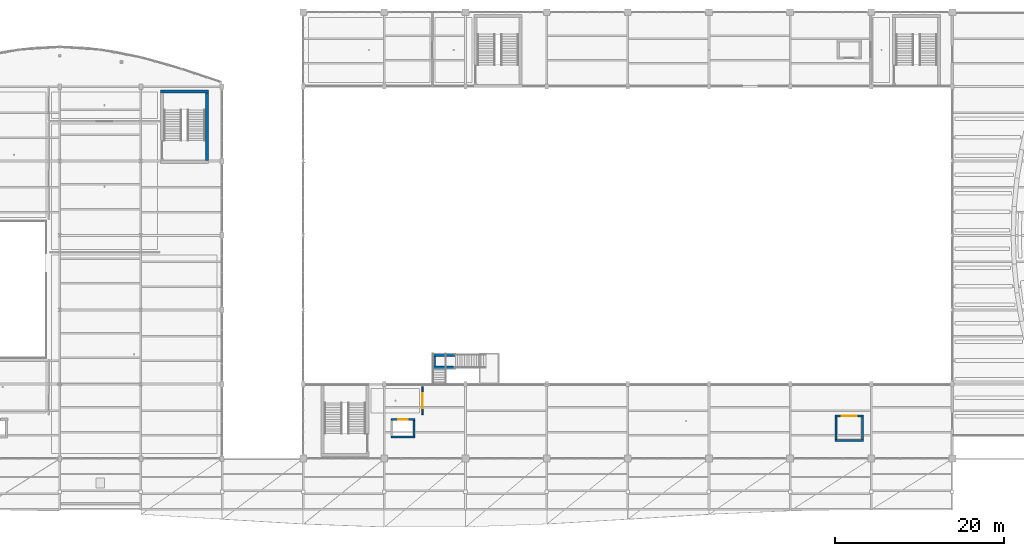
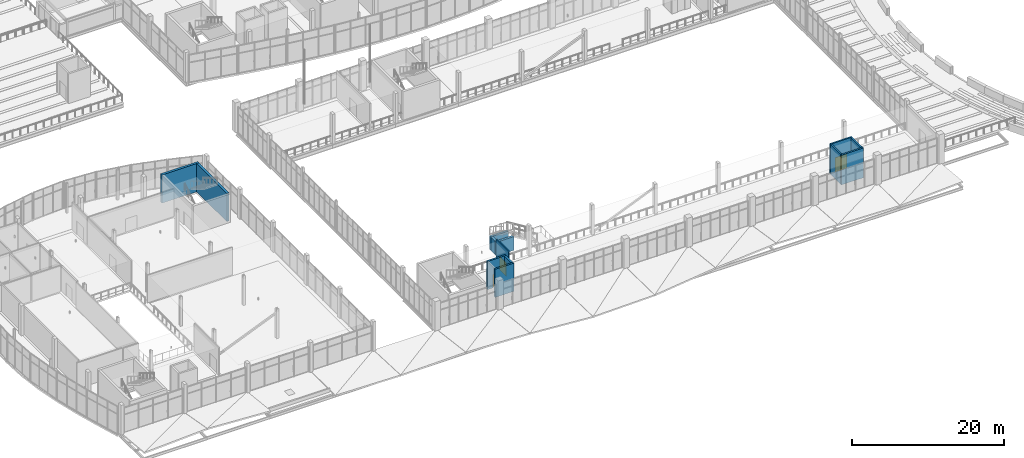
# One storey, part 133 of 157: 13 walls, 3 doors, 3 openings.
"""IFC4 building model written with IfcOpenShell, lengths in metres."""

from ifc_helpers import new_model, si_unit, direction, frame, frame_2d, origin, place, context, subcontext, project, spatial, rectangle, extrude, material, layer, layer_set, type_object, element, fill, save


model = new_model("IFC4")

# Units and contexts
model_context = context("Model", 3, precision=1e-05, world=origin(), true_north=direction((0.0, 1.0)))
body_context = subcontext(model_context, "Body", "Model", "MODEL_VIEW")
ifc_project = project(units=[si_unit("LENGTHUNIT", "METRE"), si_unit("AREAUNIT", "SQUARE_METRE"), si_unit("VOLUMEUNIT", "CUBIC_METRE"), si_unit("PLANEANGLEUNIT", "RADIAN"), si_unit("MASSUNIT", "GRAM", prefix="KILO")], contexts=[model_context])

# Site, building, storey
site_placement = place(None, origin())
site = spatial("IfcSite", under=ifc_project, at=site_placement, CompositionType="ELEMENT")
building_placement = place(site_placement, origin())
building = spatial("IfcBuilding", under=site, at=building_placement, Name="Chalmorin Arch Market", CompositionType="ELEMENT")
storey_placement = place(building_placement, frame((0.0, 0.0, 4.800048828125)))
storey = spatial("IfcBuildingStorey", under=building, at=storey_placement, Name="L01", CompositionType="ELEMENT", Elevation=4.800048828125)

# Walls
ifc_material_1 = material(Name="Concrete C40/50", Category="concrete")
ifc_layer_1 = layer(ifc_material_1, 0.35009765625)
ifc_layer_set_1 = layer_set([ifc_layer_1], Name="Concrete C40/50")
wall_type_1 = type_object("IfcWallType", Name="CoreShearWall-350", PredefinedType="SHEAR", material=ifc_layer_set_1)
wall_1_placement = place(storey_placement, frame((31.125, 49.39990234375, 0.0), z_axis=(0.0, 0.0, 1.0), x_axis=(1.0, 0.0, 0.0)))
element("IfcWall", 1, at=wall_1_placement, inside=storey, type_object=wall_type_1, Name="CSW-350-026", PredefinedType="SHEAR", context=body_context, shape_type="SweptSolid", body=[
    extrude(rectangle(XDim=5.64990234375, YDim=0.35009765625, at=frame_2d((2.824951171875, 0.0))), origin(), (0.0, 0.0, 1.0), 4.550048828125),
])
wall_2_placement = place(storey_placement, frame((36.60009765625, 49.22509765625, 0.0), z_axis=(0.0, 0.0, 1.0), x_axis=(0.0, -1.0, 0.0)))
element("IfcWall", 2, at=wall_2_placement, inside=storey, type_object=wall_type_1, Name="CSW-350-028", PredefinedType="SHEAR", context=body_context, shape_type="SweptSolid", body=[
    extrude(rectangle(XDim=7.9501953125, YDim=0.35009765625, at=frame_2d((3.97509765625, 0.0))), origin(), (0.0, 0.0, 1.0), 4.550048828125),
])
for number, where, z_axis, x_axis, name in (
    (3, (63.27490234375, 16.800048828125, 0.0), (0.0, 0.0, 1.0), (1.0, 0.0, 0.0), "CSW-350-159"),
    (4, (63.27490234375, 18.25, 0.0), (0.0, 0.0, 1.0), (1.0, 0.0, 0.0), "CSW-350-160"),
):
    element("IfcWall", number, at=place(storey_placement, frame(where, z_axis=z_axis, x_axis=x_axis)), inside=storey, type_object=wall_type_1, Name=name, PredefinedType="SHEAR", context=body_context, shape_type="SweptSolid", body=[
        extrude(rectangle(XDim=2.670166015625, YDim=0.35009765625, at=frame_2d((1.3349609375, 0.0))), origin(), (0.0, 0.0, 1.0), 2.204833984375),
    ])
wall_3_placement = place(storey_placement, frame((63.449951171875, 16.97509765625, 0.0), z_axis=(0.0, 0.0, 1.0), x_axis=(0.0, 1.0, 0.0)))
element("IfcWall", 5, at=wall_3_placement, inside=storey, type_object=wall_type_1, Name="CSW-350-161", PredefinedType="SHEAR", context=body_context, shape_type="SweptSolid", body=[
    extrude(rectangle(XDim=1.099853515625, YDim=0.35009765625, at=frame_2d((0.5498046875, 0.0))), origin(), (0.0, 0.0, 1.0), 2.204833984375),
])

# Wall, opening, door
ifc_material_2 = material(Name="Gypsum Board Partition")
ifc_layer_2 = layer(ifc_material_2, 0.159912109375)
ifc_layer_set_2 = layer_set([ifc_layer_2], Name="Gypsum Board Partition")
wall_type_2 = type_object("IfcWallType", Name="CorridorRatedPartition-160", PredefinedType="PARTITIONING", material=ifc_layer_set_2)
wall_4_placement = place(storey_placement, frame((62.10009765625, 11.199951171875, 0.0), z_axis=(0.0, 0.0, 1.0), x_axis=(0.0, 1.0, 0.0)))
wall_4 = element("IfcWall", 6, at=wall_4_placement, inside=storey, type_object=wall_type_2, Name="CRP-160-475", PredefinedType="PARTITIONING", context=body_context, shape_type="SweptSolid", body=[
    extrude(rectangle(XDim=3.300048828125, YDim=0.159912109375, at=frame_2d((1.64990234375, 0.0))), origin(), (0.0, 0.0, 1.0), 4.419921875),
])
opening_1_placement = place(wall_4_placement, frame((0.75, 0.0, 0.0)))
opening_1 = element("IfcOpeningElement", 7, at=opening_1_placement, cuts=wall_4, Name="Opening ID-145", PredefinedType="OPENING", context=body_context, shape_type="SweptSolid", body=[
    extrude(rectangle(XDim=1.800048828125, YDim=2.14990234375, at=frame_2d((0.89990234375, 1.074951171875))), frame((0.0, 0.08984375, 0.0), z_axis=(0.0, -1.0, 0.0), x_axis=(1.0, 0.0, 0.0)), (0.0, 0.0, 1.0), 0.179931640625),
])
ifc_material_3 = material(Name="Galvanised Steel", Category="steel")
door_type_1 = type_object("IfcDoorType", Name="CorridorFireDoubleDoor-1800x2150", OperationType="DOUBLE_DOOR_SINGLE_SWING", PredefinedType="DOOR", material=ifc_material_3)
door_1_placement = place(opening_1_placement, origin())
door_1 = element("IfcDoor", 8, at=door_1_placement, inside=storey, type_object=door_type_1, Name="ID-145", OperationType="DOUBLE_DOOR_SINGLE_SWING", OverallHeight=2.14990234375, OverallWidth=1.800048828125, PredefinedType="DOOR", context=body_context, shape_type="SweptSolid", body=[
    extrude(rectangle(XDim=1.800048828125, YDim=2.14990234375, at=frame_2d((0.89990234375, 1.074951171875))), frame((0.0, 0.02490234375, 0.0), z_axis=(0.0, -1.0, 0.0), x_axis=(1.0, 0.0, 0.0)), (0.0, 0.0, 1.0), 0.050048828125),
])
fill(opening_1, door_1)

# Wall
ifc_material_4 = material(Name="Concrete C35/45", Category="concrete")
ifc_layer_3 = layer(ifc_material_4, 0.25)
ifc_layer_set_3 = layer_set([ifc_layer_3], Name="Concrete C35/45")
wall_type_3 = type_object("IfcWallType", Name="ShaftEnclosureWall-250", PredefinedType="SOLIDWALL", material=ifc_layer_set_3)
wall_5_placement = place(storey_placement, frame((61.22509765625, 8.574951171875, 0.0), z_axis=(0.0, 0.0, 1.0), x_axis=(-1.0, 0.0, 0.0)))
element("IfcWall", 9, at=wall_5_placement, inside=storey, type_object=wall_type_3, Name="SEW-250-238", PredefinedType="SOLIDWALL", context=body_context, shape_type="SweptSolid", body=[
    extrude(rectangle(XDim=2.85009765625, YDim=0.25, at=frame_2d((1.425048828125, 0.0))), origin(), (0.0, 0.0, 1.0), 4.550048828125),
])

# Wall, opening, door
wall_6_placement = place(storey_placement, frame((58.375, 10.625, 0.0), z_axis=(0.0, 0.0, 1.0), x_axis=(1.0, 0.0, 0.0)))
wall_6 = element("IfcWall", 10, at=wall_6_placement, inside=storey, type_object=wall_type_3, Name="SEW-250-239", PredefinedType="SOLIDWALL", context=body_context, shape_type="SweptSolid", body=[
    extrude(rectangle(XDim=2.85009765625, YDim=0.25, at=frame_2d((1.425048828125, 0.0))), origin(), (0.0, 0.0, 1.0), 4.550048828125),
])
opening_2_placement = place(wall_6_placement, frame((0.875, 0.0, 0.0)))
opening_2 = element("IfcOpeningElement", 11, at=opening_2_placement, cuts=wall_6, Name="Opening LD-LF-P2-L01", PredefinedType="OPENING", context=body_context, shape_type="SweptSolid", body=[
    extrude(rectangle(XDim=1.10009765625, YDim=2.14990234375, at=frame_2d((0.550048828125, 1.074951171875))), frame((0.0, 0.135009765625, 0.0), z_axis=(0.0, -1.0, 0.0), x_axis=(1.0, 0.0, 0.0)), (0.0, 0.0, 1.0), 0.27001953125),
])
ifc_material_5 = material(Name="Stainless Steel 316", Category="steel")
door_type_2 = type_object("IfcDoorType", Name="LiftLandingSlidingDoor-1100x2150", OperationType="DOUBLE_DOOR_SLIDING", PredefinedType="DOOR", material=ifc_material_5)
door_2_placement = place(opening_2_placement, origin())
door_2 = element("IfcDoor", 12, at=door_2_placement, inside=storey, type_object=door_type_2, Name="LD-LF-P2-L01", OperationType="DOUBLE_DOOR_SLIDING", OverallHeight=2.14990234375, OverallWidth=1.10009765625, PredefinedType="DOOR", context=body_context, shape_type="SweptSolid", body=[
    extrude(rectangle(XDim=1.10009765625, YDim=2.14990234375, at=frame_2d((0.550048828125, 1.074951171875))), frame((0.0, 0.02490234375, 0.0), z_axis=(0.0, -1.0, 0.0), x_axis=(1.0, 0.0, 0.0)), (0.0, 0.0, 1.0), 0.050048828125),
])
fill(opening_2, door_2)

# Walls
wall_7_placement = place(storey_placement, frame((61.10009765625, 10.5, 0.0), z_axis=(0.0, 0.0, 1.0), x_axis=(0.0, -1.0, 0.0)))
element("IfcWall", 13, at=wall_7_placement, inside=storey, type_object=wall_type_3, Name="SEW-250-241", PredefinedType="SOLIDWALL", context=body_context, shape_type="SweptSolid", body=[
    extrude(rectangle(XDim=1.800048828125, YDim=0.25, at=frame_2d((0.89990234375, 0.0))), origin(), (0.0, 0.0, 1.0), 4.550048828125),
])
wall_8_placement = place(storey_placement, frame((114.27490234375, 8.14990234375, 0.0), z_axis=(0.0, 0.0, 1.0), x_axis=(-1.0, 0.0, 0.0)))
element("IfcWall", 14, at=wall_8_placement, inside=storey, type_object=wall_type_3, Name="SEW-250-306", PredefinedType="SOLIDWALL", context=body_context, shape_type="SweptSolid", body=[
    extrude(rectangle(XDim=3.349853515625, YDim=0.25, at=frame_2d((1.6748046875, 0.0))), origin(), (0.0, 0.0, 1.0), 4.800048828125),
])

# Wall, opening, door
wall_9_placement = place(storey_placement, frame((110.925048828125, 11.050048828125, 0.0), z_axis=(0.0, 0.0, 1.0), x_axis=(1.0, 0.0, 0.0)))
wall_9 = element("IfcWall", 15, at=wall_9_placement, inside=storey, type_object=wall_type_3, Name="SEW-250-307", PredefinedType="SOLIDWALL", context=body_context, shape_type="SweptSolid", body=[
    extrude(rectangle(XDim=3.349853515625, YDim=0.25, at=frame_2d((1.6748046875, 0.0))), origin(), (0.0, 0.0, 1.0), 4.800048828125),
])
opening_3_placement = place(wall_9_placement, frame((0.77490234375, 0.0, 0.0)))
opening_3 = element("IfcOpeningElement", 16, at=opening_3_placement, cuts=wall_9, Name="Opening LD-LF-FR2-L01", PredefinedType="OPENING", context=body_context, shape_type="SweptSolid", body=[
    extrude(rectangle(XDim=1.800048828125, YDim=2.300048828125, at=frame_2d((0.89990234375, 1.14990234375))), frame((0.0, 0.135009765625, 0.0), z_axis=(0.0, -1.0, 0.0), x_axis=(1.0, 0.0, 0.0)), (0.0, 0.0, 1.0), 0.27001953125),
])
door_type_3 = type_object("IfcDoorType", Name="FreightLiftLandingDoor-1800x2300", OperationType="DOUBLE_DOOR_SLIDING", PredefinedType="DOOR", material=ifc_material_5)
door_3_placement = place(opening_3_placement, origin())
door_3 = element("IfcDoor", 17, at=door_3_placement, inside=storey, type_object=door_type_3, Name="LD-LF-FR2-L01", OperationType="DOUBLE_DOOR_SLIDING", OverallHeight=2.300048828125, OverallWidth=1.800048828125, PredefinedType="DOOR", context=body_context, shape_type="SweptSolid", body=[
    extrude(rectangle(XDim=1.800048828125, YDim=2.300048828125, at=frame_2d((0.89990234375, 1.14990234375))), frame((0.0, 0.02490234375, 0.0), z_axis=(0.0, -1.0, 0.0), x_axis=(1.0, 0.0, 0.0)), (0.0, 0.0, 1.0), 0.050048828125),
])
fill(opening_3, door_3)

# Walls
for number, where, z_axis, x_axis, name in (
    (18, (111.050048828125, 8.27490234375, 0.0), (0.0, 0.0, 1.0), (0.0, 1.0, 0.0), "SEW-250-308"),
    (19, (114.14990234375, 10.925048828125, 0.0), (0.0, 0.0, 1.0), (0.0, -1.0, 0.0), "SEW-250-309"),
):
    element("IfcWall", number, at=place(storey_placement, frame(where, z_axis=z_axis, x_axis=x_axis)), inside=storey, type_object=wall_type_3, Name=name, PredefinedType="SOLIDWALL", context=body_context, shape_type="SweptSolid", body=[
        extrude(rectangle(XDim=2.650146484375, YDim=0.25, at=frame_2d((1.3251953125, 0.0))), origin(), (0.0, 0.0, 1.0), 4.800048828125),
    ])

save(model, "model.ifc")
